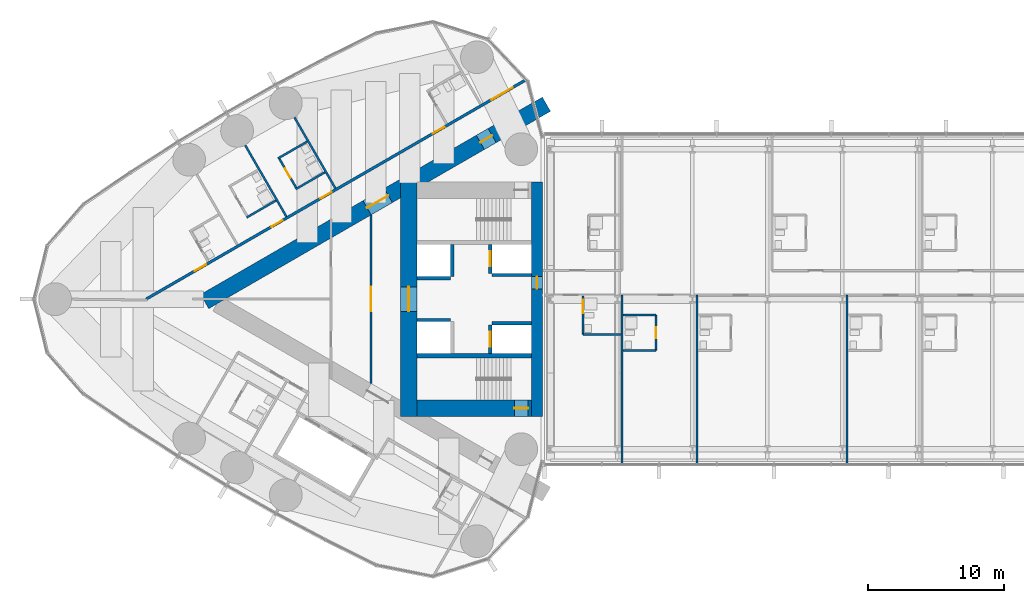
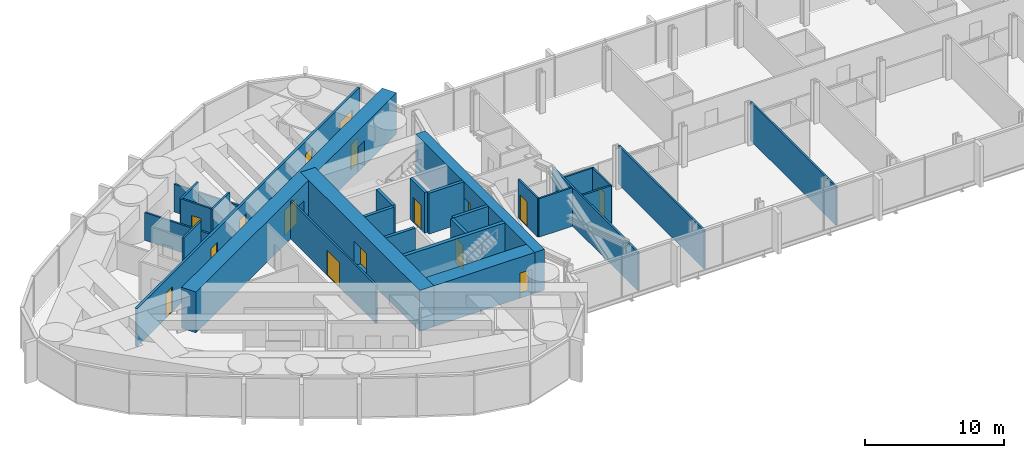
# One storey, part 16 of 23: 28 walls, 16 doors, 16 openings.
"""IFC4 building model written with IfcOpenShell, lengths in metres."""

from ifc_helpers import new_model, si_unit, direction, frame, frame_2d, origin, place, context, subcontext, project, spatial, rectangle, extrude, material, layer, layer_set, type_object, element, fill, save


model = new_model("IFC4")

# Units and contexts
model_context = context("Model", 3, precision=1e-05, world=origin(), true_north=direction((0.0, 1.0)))
body_context = subcontext(model_context, "Body", "Model", "MODEL_VIEW")
ifc_project = project(units=[si_unit("LENGTHUNIT", "METRE"), si_unit("AREAUNIT", "SQUARE_METRE"), si_unit("VOLUMEUNIT", "CUBIC_METRE"), si_unit("PLANEANGLEUNIT", "RADIAN"), si_unit("MASSUNIT", "GRAM", prefix="KILO")], contexts=[model_context])

# Site, building, storey
site_placement = place(None, origin())
site = spatial("IfcSite", under=ifc_project, at=site_placement, CompositionType="ELEMENT")
building_placement = place(site_placement, origin())
building = spatial("IfcBuilding", under=site, at=building_placement, Name="Lancet Gate Hotel", CompositionType="ELEMENT")
storey_placement = place(building_placement, frame((0.0, 0.0, 240.5)))
storey = spatial("IfcBuildingStorey", under=building, at=storey_placement, Name="L64", CompositionType="ELEMENT", Elevation=240.5)

# Wall
ifc_material_1 = material(Name="Moisture resistant board partition")
ifc_layer_1 = layer(ifc_material_1, 0.14990234375)
ifc_layer_set_1 = layer_set([ifc_layer_1], Name="Bathroom wall 150")
wall_type_1 = type_object("IfcWallType", Name="Bathroom wall 150", PredefinedType="PARTITIONING", material=ifc_layer_set_1)
wall_1_placement = place(storey_placement, frame((-44.745361328125, 11.560302734375, 0.0), z_axis=(0.0, 0.0, 1.0), x_axis=(-0.866006523861, -0.500032699561, 0.0)))
element("IfcWall", 1, at=wall_1_placement, inside=storey, type_object=wall_type_1, Name="T1 bathroom wall 150 L64", PredefinedType="PARTITIONING", context=body_context, shape_type="SweptSolid", body=[
    extrude(rectangle(XDim=2.474853515625, YDim=0.14990234375, at=frame_2d((1.2373046875, 0.0))), origin(), (0.0, 0.0, 1.0), 3.35009765625),
])

# Wall, opening, door
wall_2_placement = place(storey_placement, frame((-45.52392578125, 8.108642578125, 0.0), z_axis=(0.0, 0.0, 1.0), x_axis=(-0.49997716683, 0.86603858612, 0.0)))
wall_2 = element("IfcWall", 2, at=wall_2_placement, inside=storey, type_object=wall_type_1, Name="T1 bathroom wall 150 L64", PredefinedType="PARTITIONING", context=body_context, shape_type="SweptSolid", body=[
    extrude(rectangle(XDim=2.599609375, YDim=0.14990234375, at=frame_2d((1.2998046875, 0.0))), origin(), (0.0, 0.0, 1.0), 3.35009765625),
])
opening_1_placement = place(wall_2_placement, frame((0.89990234375, 0.0, 0.0)))
opening_1 = element("IfcOpeningElement", 3, at=opening_1_placement, cuts=wall_2, Name="Opening 6403-B", PredefinedType="OPENING", context=body_context, shape_type="SweptSolid", body=[
    extrude(rectangle(XDim=0.800048828125, YDim=2.199951171875, at=frame_2d((0.39990234375, 1.10009765625))), frame((0.0, 0.0849609375, 0.0), z_axis=(0.0, -1.0, 0.0), x_axis=(1.0, 0.0, 0.0)), (0.0, 0.0, 1.0), 0.169921875),
])
ifc_material_2 = material(Name="Timber door set", Category="wood")
door_type_1 = type_object("IfcDoorType", Name="Bathroom door 800", OperationType="SINGLE_SWING_RIGHT", PredefinedType="DOOR", material=ifc_material_2)
door_1_placement = place(opening_1_placement, origin())
door_1 = element("IfcDoor", 4, at=door_1_placement, inside=storey, type_object=door_type_1, Name="6403-B", OperationType="SINGLE_SWING_RIGHT", OverallHeight=2.199951171875, OverallWidth=0.800048828125, PredefinedType="DOOR", context=body_context, shape_type="SweptSolid", body=[
    extrude(rectangle(XDim=0.800048828125, YDim=2.199951171875, at=frame_2d((0.39990234375, 1.10009765625))), frame((0.0, 0.02490234375, 0.0), z_axis=(0.0, -1.0, 0.0), x_axis=(1.0, 0.0, 0.0)), (0.0, 0.0, 1.0), 0.050048828125),
])
fill(opening_1, door_1)

# Walls
for number, where, z_axis, x_axis, name in (
    (5, (-43.4453125, 9.30859375, 0.0), (0.0, 0.0, 1.0), (-0.866031185235, -0.4999899861, 0.0), "T1 bathroom wall 150 L64"),
    (6, (-47.03857421875, 7.23388671875, 0.0), (0.0, 0.0, 1.0), (-0.866073894602, -0.499916002032, 0.0), "T1 bathroom wall 150 L64"),
):
    element("IfcWall", number, at=place(storey_placement, frame(where, z_axis=z_axis, x_axis=x_axis)), inside=storey, type_object=wall_type_1, Name=name, PredefinedType="PARTITIONING", context=body_context, shape_type="SweptSolid", body=[
        extrude(rectangle(XDim=2.47509765625, YDim=0.14990234375, at=frame_2d((1.237548828125, 0.0))), origin(), (0.0, 0.0, 1.0), 3.35009765625),
    ])
wall_3_placement = place(storey_placement, frame((-24.52490234375, -2.574951171875, 0.0), z_axis=(0.0, 0.0, 1.0), x_axis=(1.0, 0.0, 0.0)))
element("IfcWall", 7, at=wall_3_placement, inside=storey, type_object=wall_type_1, Name="Bridge block bathroom wall 150 L64", PredefinedType="PARTITIONING", context=body_context, shape_type="SweptSolid", body=[
    extrude(rectangle(XDim=2.7998046875, YDim=0.14990234375, at=frame_2d((1.39990234375, 0.0))), origin(), (0.0, 0.0, 1.0), 3.39990234375),
])

# Wall, opening, door
wall_4_placement = place(storey_placement, frame((-24.52490234375, -2.574951171875, 0.0), z_axis=(0.0, 0.0, 1.0), x_axis=(0.0, 1.0, 0.0)))
wall_4 = element("IfcWall", 8, at=wall_4_placement, inside=storey, type_object=wall_type_1, Name="Bridge block bathroom wall 150 L64", PredefinedType="PARTITIONING", context=body_context, shape_type="SweptSolid", body=[
    extrude(rectangle(XDim=2.800048828125, YDim=0.14990234375, at=frame_2d((1.39990234375, 0.0))), origin(), (0.0, 0.0, 1.0), 3.39990234375),
])
opening_2_placement = place(wall_4_placement, frame((1.550048828125, 0.0, 0.0)))
opening_2 = element("IfcOpeningElement", 9, at=opening_2_placement, cuts=wall_4, Name="Opening B6401-B", PredefinedType="OPENING", context=body_context, shape_type="SweptSolid", body=[
    extrude(rectangle(XDim=1.0, YDim=2.199951171875, at=frame_2d((0.5, 1.10009765625))), frame((0.0, 0.0849609375, 0.0), z_axis=(0.0, -1.0, 0.0), x_axis=(1.0, 0.0, 0.0)), (0.0, 0.0, 1.0), 0.169921875),
])
ifc_material_3 = material(Name="Timber door set", Category="wood")
door_type_2 = type_object("IfcDoorType", Name="Accessible en-suite door 1000", OperationType="SINGLE_SWING_RIGHT", PredefinedType="DOOR", material=ifc_material_3)
door_2_placement = place(opening_2_placement, origin())
door_2 = element("IfcDoor", 10, at=door_2_placement, inside=storey, type_object=door_type_2, Name="B6401-B", OperationType="SINGLE_SWING_RIGHT", OverallHeight=2.199951171875, OverallWidth=1.0, PredefinedType="DOOR", context=body_context, shape_type="SweptSolid", body=[
    extrude(rectangle(XDim=1.0, YDim=2.199951171875, at=frame_2d((0.5, 1.10009765625))), frame((0.0, 0.02490234375, 0.0), z_axis=(0.0, -1.0, 0.0), x_axis=(1.0, 0.0, 0.0)), (0.0, 0.0, 1.0), 0.050048828125),
])
fill(opening_2, door_2)

# Walls
for number, where, z_axis, x_axis, name in (
    (11, (-21.574951171875, -3.77490234375, 0.0), (0.0, 0.0, 1.0), (1.0, 0.0, 0.0), "Bridge block bathroom wall 150 L64"),
    (12, (-21.574951171875, -1.175048828125, 0.0), (0.0, 0.0, 1.0), (1.0, 0.0, 0.0), "Bridge block bathroom wall 150 L64"),
):
    element("IfcWall", number, at=place(storey_placement, frame(where, z_axis=z_axis, x_axis=x_axis)), inside=storey, type_object=wall_type_1, Name=name, PredefinedType="PARTITIONING", context=body_context, shape_type="SweptSolid", body=[
        extrude(rectangle(XDim=2.39990234375, YDim=0.14990234375, at=frame_2d((1.199951171875, 0.0))), origin(), (0.0, 0.0, 1.0), 3.39990234375),
    ])

# Wall, opening, door
wall_5_placement = place(storey_placement, frame((-19.175048828125, -3.77490234375, 0.0), z_axis=(0.0, 0.0, 1.0), x_axis=(0.0, 1.0, 0.0)))
wall_5 = element("IfcWall", 13, at=wall_5_placement, inside=storey, type_object=wall_type_1, Name="Bridge block bathroom wall 150 L64", PredefinedType="PARTITIONING", context=body_context, shape_type="SweptSolid", body=[
    extrude(rectangle(XDim=2.599853515625, YDim=0.14990234375, at=frame_2d((1.2998046875, 0.0))), origin(), (0.0, 0.0, 1.0), 3.39990234375),
])
opening_3_placement = place(wall_5_placement, frame((0.89990234375, 0.0, 0.0)))
opening_3 = element("IfcOpeningElement", 14, at=opening_3_placement, cuts=wall_5, Name="Opening B6402-B", PredefinedType="OPENING", context=body_context, shape_type="SweptSolid", body=[
    extrude(rectangle(XDim=0.800048828125, YDim=2.199951171875, at=frame_2d((0.39990234375, 1.10009765625))), frame((0.0, 0.0849609375, 0.0), z_axis=(0.0, -1.0, 0.0), x_axis=(1.0, 0.0, 0.0)), (0.0, 0.0, 1.0), 0.169921875),
])
door_3_placement = place(opening_3_placement, origin())
door_3 = element("IfcDoor", 15, at=door_3_placement, inside=storey, type_object=door_type_1, Name="B6402-B", OperationType="SINGLE_SWING_RIGHT", OverallHeight=2.199951171875, OverallWidth=0.800048828125, PredefinedType="DOOR", context=body_context, shape_type="SweptSolid", body=[
    extrude(rectangle(XDim=0.800048828125, YDim=2.199951171875, at=frame_2d((0.39990234375, 1.10009765625))), frame((0.0, 0.02490234375, 0.0), z_axis=(0.0, -1.0, 0.0), x_axis=(1.0, 0.0, 0.0)), (0.0, 0.0, 1.0), 0.050048828125),
])
fill(opening_3, door_3)

# Wall, openings, doors
ifc_material_4 = material(Name="Concrete C70/85", Category="concrete")
ifc_layer_2 = layer(ifc_material_4, 1.199951171875)
ifc_layer_set_2 = layer_set([ifc_layer_2], Name="Buttress wall 1200")
wall_type_2 = type_object("IfcWallType", Name="Buttress wall 1200", PredefinedType="SHEAR", material=ifc_layer_set_2)
wall_6_placement = place(storey_placement, frame((-27.199951171875, 14.300048828125, 0.0), z_axis=(0.0, 0.0, 1.0), x_axis=(-0.866026593062, -0.499997940104, 0.0)))
wall_6 = element("IfcWall", 16, at=wall_6_placement, inside=storey, type_object=wall_type_2, Name="T1 buttress wall S L64", PredefinedType="SHEAR", context=body_context, shape_type="SweptSolid", body=[
    extrude(rectangle(XDim=28.9462890625, YDim=1.199951171875, at=frame_2d((14.47314453125, 0.0))), origin(), (0.0, 0.0, 1.0), 3.60009765625),
])
opening_4_placement = place(wall_6_placement, frame((4.60009765625, 0.0, 0.0)))
opening_4 = element("IfcOpeningElement", 17, at=opening_4_placement, cuts=wall_6, Name="Opening T1-L64-LS", PredefinedType="OPENING", context=body_context, shape_type="SweptSolid", body=[
    extrude(rectangle(XDim=1.0, YDim=2.199951171875, at=frame_2d((0.5, 1.10009765625))), frame((0.0, 0.60986328125, 0.0), z_axis=(0.0, -1.0, 0.0), x_axis=(1.0, 0.0, 0.0)), (0.0, 0.0, 1.0), 1.219970703125),
])
opening_5_placement = place(wall_6_placement, frame((13.39453125, 0.0, 0.0)))
opening_5 = element("IfcOpeningElement", 18, at=opening_5_placement, cuts=wall_6, Name="Opening T1-L64-LHS", PredefinedType="OPENING", context=body_context, shape_type="SweptSolid", body=[
    extrude(rectangle(XDim=1.800048828125, YDim=2.199951171875, at=frame_2d((0.89990234375, 1.10009765625))), frame((0.0, 0.60986328125, 0.0), z_axis=(0.0, -1.0, 0.0), x_axis=(1.0, 0.0, 0.0)), (0.0, 0.0, 1.0), 1.219970703125),
])
ifc_material_5 = material(Name="Timber door set", Category="wood")
door_type_3 = type_object("IfcDoorType", Name="Lobby double door 1800", OperationType="DOUBLE_DOOR_SINGLE_SWING", PredefinedType="DOOR", material=ifc_material_5)
door_4_placement = place(opening_5_placement, origin())
door_4 = element("IfcDoor", 19, at=door_4_placement, inside=storey, type_object=door_type_3, Name="T1-L64-LHS", OperationType="DOUBLE_DOOR_SINGLE_SWING", OverallHeight=2.199951171875, OverallWidth=1.800048828125, PredefinedType="DOOR", context=body_context, shape_type="SweptSolid", body=[
    extrude(rectangle(XDim=1.800048828125, YDim=2.199951171875, at=frame_2d((0.89990234375, 1.10009765625))), frame((0.0, 0.02490234375, 0.0), z_axis=(0.0, -1.0, 0.0), x_axis=(1.0, 0.0, 0.0)), (0.0, 0.0, 1.0), 0.050048828125),
])
fill(opening_5, door_4)
ifc_material_6 = material(Name="Timber door set", Category="wood")
door_type_4 = type_object("IfcDoorType", Name="Stair lobby door 1000", OperationType="SINGLE_SWING_LEFT", PredefinedType="DOOR", material=ifc_material_6)
door_5_placement = place(opening_4_placement, origin())
door_5 = element("IfcDoor", 20, at=door_5_placement, inside=storey, type_object=door_type_4, Name="T1-L64-LS", OperationType="SINGLE_SWING_LEFT", OverallHeight=2.199951171875, OverallWidth=1.0, PredefinedType="DOOR", context=body_context, shape_type="SweptSolid", body=[
    extrude(rectangle(XDim=1.0, YDim=2.199951171875, at=frame_2d((0.5, 1.10009765625))), frame((0.0, 0.02490234375, 0.0), z_axis=(0.0, -1.0, 0.0), x_axis=(1.0, 0.0, 0.0)), (0.0, 0.0, 1.0), 0.050048828125),
])
fill(opening_4, door_5)

# Wall, opening, door
ifc_material_7 = material(Name="Concrete C70/85", Category="concrete")
ifc_layer_3 = layer(ifc_material_7, 1.199951171875)
ifc_layer_set_3 = layer_set([ifc_layer_3], Name="Core wall 1200")
wall_type_3 = type_object("IfcWallType", Name="Core wall 1200", PredefinedType="SHEAR", material=ifc_layer_set_3)
wall_7_placement = place(storey_placement, frame((-37.300048828125, 8.60009765625, 0.0), z_axis=(0.0, 0.0, 1.0), x_axis=(0.0, -1.0, 0.0)))
wall_7 = element("IfcWall", 21, at=wall_7_placement, inside=storey, type_object=wall_type_3, Name="T1 core wall back L64", PredefinedType="SHEAR", context=body_context, shape_type="SweptSolid", body=[
    extrude(rectangle(XDim=17.2001953125, YDim=1.199951171875, at=frame_2d((8.60009765625, 0.0))), origin(), (0.0, 0.0, 1.0), 3.60009765625),
])
opening_6_placement = place(wall_7_placement, frame((7.699951171875, 0.0, 0.0)))
opening_6 = element("IfcOpeningElement", 22, at=opening_6_placement, cuts=wall_7, Name="Opening T1-L64-LL", PredefinedType="OPENING", context=body_context, shape_type="SweptSolid", body=[
    extrude(rectangle(XDim=1.800048828125, YDim=2.199951171875, at=frame_2d((0.89990234375, 1.10009765625))), frame((0.0, 0.60986328125, 0.0), z_axis=(0.0, -1.0, 0.0), x_axis=(1.0, 0.0, 0.0)), (0.0, 0.0, 1.0), 1.219970703125),
])
door_6_placement = place(opening_6_placement, origin())
door_6 = element("IfcDoor", 23, at=door_6_placement, inside=storey, type_object=door_type_3, Name="T1-L64-LL", OperationType="DOUBLE_DOOR_SINGLE_SWING", OverallHeight=2.199951171875, OverallWidth=1.800048828125, PredefinedType="DOOR", context=body_context, shape_type="SweptSolid", body=[
    extrude(rectangle(XDim=1.800048828125, YDim=2.199951171875, at=frame_2d((0.89990234375, 1.10009765625))), frame((0.0, 0.02490234375, 0.0), z_axis=(0.0, -1.0, 0.0), x_axis=(1.0, 0.0, 0.0)), (0.0, 0.0, 1.0), 0.050048828125),
])
fill(opening_6, door_6)

wall_8_placement = place(storey_placement, frame((-28.300048828125, -8.0, 0.0), z_axis=(0.0, 0.0, 1.0), x_axis=(-1.0, 0.0, 0.0)))
wall_8 = element("IfcWall", 24, at=wall_8_placement, inside=storey, type_object=wall_type_3, Name="T1 core wall side-N L64", PredefinedType="SHEAR", context=body_context, shape_type="SweptSolid", body=[
    extrude(rectangle(XDim=8.39990234375, YDim=1.199951171875, at=frame_2d((4.199951171875, 0.0))), origin(), (0.0, 0.0, 1.0), 3.60009765625),
])
opening_7_placement = place(wall_8_placement, frame((0.25, 0.0, 0.0)))
opening_7 = element("IfcOpeningElement", 25, at=opening_7_placement, cuts=wall_8, Name="Opening T1-L64-ST2", PredefinedType="OPENING", context=body_context, shape_type="SweptSolid", body=[
    extrude(rectangle(XDim=1.0, YDim=2.199951171875, at=frame_2d((0.5, 1.10009765625))), frame((0.0, 0.60986328125, 0.0), z_axis=(0.0, -1.0, 0.0), x_axis=(1.0, 0.0, 0.0)), (0.0, 0.0, 1.0), 1.219970703125),
])
ifc_material_8 = material(Name="Timber door set", Category="wood")
door_type_5 = type_object("IfcDoorType", Name="Stair door 1000", OperationType="SINGLE_SWING_RIGHT", PredefinedType="DOOR", material=ifc_material_8)
door_7_placement = place(opening_7_placement, origin())
door_7 = element("IfcDoor", 26, at=door_7_placement, inside=storey, type_object=door_type_5, Name="T1-L64-ST2", OperationType="SINGLE_SWING_RIGHT", OverallHeight=2.199951171875, OverallWidth=1.0, PredefinedType="DOOR", context=body_context, shape_type="SweptSolid", body=[
    extrude(rectangle(XDim=1.0, YDim=2.199951171875, at=frame_2d((0.5, 1.10009765625))), frame((0.0, 0.02490234375, 0.0), z_axis=(0.0, -1.0, 0.0), x_axis=(1.0, 0.0, 0.0)), (0.0, 0.0, 1.0), 0.050048828125),
])
fill(opening_7, door_7)

ifc_material_9 = material(Name="Concrete C70/85", Category="concrete")
ifc_layer_4 = layer(ifc_material_9, 0.800048828125)
ifc_layer_set_4 = layer_set([ifc_layer_4], Name="Core wall 800")
wall_type_4 = type_object("IfcWallType", Name="Core wall 800", PredefinedType="SHEAR", material=ifc_layer_set_4)
wall_9_placement = place(storey_placement, frame((-27.89990234375, 8.60009765625, 0.0), z_axis=(0.0, 0.0, 1.0), x_axis=(0.0, -1.0, 0.0)))
wall_9 = element("IfcWall", 27, at=wall_9_placement, inside=storey, type_object=wall_type_4, Name="T1 core wall front L64", PredefinedType="SHEAR", context=body_context, shape_type="SweptSolid", body=[
    extrude(rectangle(XDim=17.2001953125, YDim=0.800048828125, at=frame_2d((8.60009765625, 0.0))), origin(), (0.0, 0.0, 1.0), 3.60009765625),
])
opening_8_placement = place(wall_9_placement, frame((6.949951171875, 0.0, 0.0)))
opening_8 = element("IfcOpeningElement", 28, at=opening_8_placement, cuts=wall_9, Name="Opening T1-L64-BR", PredefinedType="OPENING", context=body_context, shape_type="SweptSolid", body=[
    extrude(rectangle(XDim=0.89990234375, YDim=2.199951171875, at=frame_2d((0.449951171875, 1.10009765625))), frame((0.0, 0.409912109375, 0.0), z_axis=(0.0, -1.0, 0.0), x_axis=(1.0, 0.0, 0.0)), (0.0, 0.0, 1.0), 0.820068359375),
])
ifc_material_10 = material(Name="Steel door set", Category="steel")
door_type_6 = type_object("IfcDoorType", Name="Bridge fire door 900", OperationType="SINGLE_SWING_LEFT", PredefinedType="DOOR", material=ifc_material_10)
door_8_placement = place(opening_8_placement, origin())
door_8 = element("IfcDoor", 29, at=door_8_placement, inside=storey, type_object=door_type_6, Name="T1-L64-BR", OperationType="SINGLE_SWING_LEFT", OverallHeight=2.199951171875, OverallWidth=0.89990234375, PredefinedType="DOOR", context=body_context, shape_type="SweptSolid", body=[
    extrude(rectangle(XDim=0.89990234375, YDim=2.199951171875, at=frame_2d((0.449951171875, 1.10009765625))), frame((0.0, 0.02490234375, 0.0), z_axis=(0.0, -1.0, 0.0), x_axis=(1.0, 0.0, 0.0)), (0.0, 0.0, 1.0), 0.050048828125),
])
fill(opening_8, door_8)

# Wall, openings, doors
ifc_material_11 = material(Name="Gypsum board partition")
ifc_layer_5 = layer(ifc_material_11, 0.199951171875)
ifc_layer_set_5 = layer_set([ifc_layer_5], Name="Corridor wall 200")
wall_type_5 = type_object("IfcWallType", Name="Corridor wall 200", PredefinedType="PARTITIONING", material=ifc_layer_set_5)
wall_10_placement = place(storey_placement, frame((-28.737060546875, 16.068359375, 0.0), z_axis=(0.0, 0.0, 1.0), x_axis=(-0.866026057212, -0.499998868229, 0.0)))
wall_10 = element("IfcWall", 30, at=wall_10_placement, inside=storey, type_object=wall_type_5, Name="T1 corridor wall 200 L64", PredefinedType="PARTITIONING", context=body_context, shape_type="SweptSolid", body=[
    extrude(rectangle(XDim=32.13671875, YDim=0.199951171875, at=frame_2d((16.068359375, 0.0))), origin(), (0.0, 0.0, 1.0), 3.35009765625),
])
opening_9_placement = place(wall_10_placement, frame((1.080078125, 0.0, 0.0)))
opening_9 = element("IfcOpeningElement", 31, at=opening_9_placement, cuts=wall_10, Name="Opening 6401-E", PredefinedType="OPENING", context=body_context, shape_type="SweptSolid", body=[
    extrude(rectangle(XDim=1.800048828125, YDim=2.030029296875, at=frame_2d((0.89990234375, 1.01513671875))), frame((0.0, 0.10986328125, 0.0), z_axis=(0.0, -1.0, 0.0), x_axis=(1.0, 0.0, 0.0)), (0.0, 0.0, 1.0), 0.219970703125),
])
opening_10_placement = place(wall_10_placement, frame((6.860107421875, 0.0, 0.0)))
opening_10 = element("IfcOpeningElement", 32, at=opening_10_placement, cuts=wall_10, Name="Opening 6402-E", PredefinedType="OPENING", context=body_context, shape_type="SweptSolid", body=[
    extrude(rectangle(XDim=1.0, YDim=2.199951171875, at=frame_2d((0.5, 1.10009765625))), frame((0.0, 0.10986328125, 0.0), z_axis=(0.0, -1.0, 0.0), x_axis=(1.0, 0.0, 0.0)), (0.0, 0.0, 1.0), 0.219970703125),
])
opening_11_placement = place(wall_10_placement, frame((16.417724609375, 0.0, 0.0)))
opening_11 = element("IfcOpeningElement", 33, at=opening_11_placement, cuts=wall_10, Name="Opening 6403-E", PredefinedType="OPENING", context=body_context, shape_type="SweptSolid", body=[
    extrude(rectangle(XDim=0.949951171875, YDim=2.199951171875, at=frame_2d((0.47509765625, 1.10009765625))), frame((0.0, 0.10986328125, 0.0), z_axis=(0.0, -1.0, 0.0), x_axis=(1.0, 0.0, 0.0)), (0.0, 0.0, 1.0), 0.219970703125),
])
opening_12_placement = place(wall_10_placement, frame((20.56689453125, 0.0, 0.0)))
opening_12 = element("IfcOpeningElement", 34, at=opening_12_placement, cuts=wall_10, Name="Opening 6404-E", PredefinedType="OPENING", context=body_context, shape_type="SweptSolid", body=[
    extrude(rectangle(XDim=0.949951171875, YDim=2.199951171875, at=frame_2d((0.47509765625, 1.10009765625))), frame((0.0, 0.10986328125, 0.0), z_axis=(0.0, -1.0, 0.0), x_axis=(1.0, 0.0, 0.0)), (0.0, 0.0, 1.0), 0.219970703125),
])
opening_13_placement = place(wall_10_placement, frame((27.0654296875, 0.0, 0.0)))
opening_13 = element("IfcOpeningElement", 35, at=opening_13_placement, cuts=wall_10, Name="Opening 6405-E", PredefinedType="OPENING", context=body_context, shape_type="SweptSolid", body=[
    extrude(rectangle(XDim=0.949951171875, YDim=2.199951171875, at=frame_2d((0.47509765625, 1.10009765625))), frame((0.0, 0.10986328125, 0.0), z_axis=(0.0, -1.0, 0.0), x_axis=(1.0, 0.0, 0.0)), (0.0, 0.0, 1.0), 0.219970703125),
])
ifc_material_12 = material(Name="Timber door set", Category="wood")
door_type_7 = type_object("IfcDoorType", Name="Accessible guest room door 1000", OperationType="SINGLE_SWING_LEFT", PredefinedType="DOOR", material=ifc_material_12)
door_9_placement = place(opening_10_placement, origin())
door_9 = element("IfcDoor", 36, at=door_9_placement, inside=storey, type_object=door_type_7, Name="6402-E", OperationType="SINGLE_SWING_LEFT", OverallHeight=2.199951171875, OverallWidth=1.0, PredefinedType="DOOR", context=body_context, shape_type="SweptSolid", body=[
    extrude(rectangle(XDim=1.0, YDim=2.199951171875, at=frame_2d((0.5, 1.10009765625))), frame((0.0, 0.02490234375, 0.0), z_axis=(0.0, -1.0, 0.0), x_axis=(1.0, 0.0, 0.0)), (0.0, 0.0, 1.0), 0.050048828125),
])
fill(opening_10, door_9)
ifc_material_13 = material(Name="Timber door set", Category="wood")
door_type_8 = type_object("IfcDoorType", Name="Double door 1800, 2030 high", OperationType="DOUBLE_DOOR_SINGLE_SWING", PredefinedType="DOOR", material=ifc_material_13)
door_10_placement = place(opening_9_placement, origin())
door_10 = element("IfcDoor", 37, at=door_10_placement, inside=storey, type_object=door_type_8, Name="6401-E", OperationType="DOUBLE_DOOR_SINGLE_SWING", OverallHeight=2.030029296875, OverallWidth=1.800048828125, PredefinedType="DOOR", context=body_context, shape_type="SweptSolid", body=[
    extrude(rectangle(XDim=1.800048828125, YDim=2.030029296875, at=frame_2d((0.89990234375, 1.01513671875))), frame((0.0, 0.02490234375, 0.0), z_axis=(0.0, -1.0, 0.0), x_axis=(1.0, 0.0, 0.0)), (0.0, 0.0, 1.0), 0.050048828125),
])
fill(opening_9, door_10)
ifc_material_14 = material(Name="Timber door set", Category="wood")
door_type_9 = type_object("IfcDoorType", Name="Guest room entry door 950", OperationType="SINGLE_SWING_LEFT", PredefinedType="DOOR", material=ifc_material_14)
door_11_placement = place(opening_11_placement, origin())
door_11 = element("IfcDoor", 38, at=door_11_placement, inside=storey, type_object=door_type_9, Name="6403-E", OperationType="SINGLE_SWING_LEFT", OverallHeight=2.199951171875, OverallWidth=0.949951171875, PredefinedType="DOOR", context=body_context, shape_type="SweptSolid", body=[
    extrude(rectangle(XDim=0.949951171875, YDim=2.199951171875, at=frame_2d((0.47509765625, 1.10009765625))), frame((0.0, 0.02490234375, 0.0), z_axis=(0.0, -1.0, 0.0), x_axis=(1.0, 0.0, 0.0)), (0.0, 0.0, 1.0), 0.050048828125),
])
fill(opening_11, door_11)
door_12_placement = place(opening_12_placement, origin())
door_12 = element("IfcDoor", 39, at=door_12_placement, inside=storey, type_object=door_type_9, Name="6404-E", OperationType="SINGLE_SWING_LEFT", OverallHeight=2.199951171875, OverallWidth=0.949951171875, PredefinedType="DOOR", context=body_context, shape_type="SweptSolid", body=[
    extrude(rectangle(XDim=0.949951171875, YDim=2.199951171875, at=frame_2d((0.47509765625, 1.10009765625))), frame((0.0, 0.02490234375, 0.0), z_axis=(0.0, -1.0, 0.0), x_axis=(1.0, 0.0, 0.0)), (0.0, 0.0, 1.0), 0.050048828125),
])
fill(opening_12, door_12)
door_13_placement = place(opening_13_placement, origin())
door_13 = element("IfcDoor", 40, at=door_13_placement, inside=storey, type_object=door_type_9, Name="6405-E", OperationType="SINGLE_SWING_LEFT", OverallHeight=2.199951171875, OverallWidth=0.949951171875, PredefinedType="DOOR", context=body_context, shape_type="SweptSolid", body=[
    extrude(rectangle(XDim=0.949951171875, YDim=2.199951171875, at=frame_2d((0.47509765625, 1.10009765625))), frame((0.0, 0.02490234375, 0.0), z_axis=(0.0, -1.0, 0.0), x_axis=(1.0, 0.0, 0.0)), (0.0, 0.0, 1.0), 0.050048828125),
])
fill(opening_13, door_13)

# Wall, opening, door
ifc_material_15 = material(Name="Concrete C50/60", Category="concrete")
ifc_layer_6 = layer(ifc_material_15, 0.25)
ifc_layer_set_6 = layer_set([ifc_layer_6], Name="Lift shaft wall 250")
wall_type_6 = type_object("IfcWallType", Name="Lift shaft wall 250", PredefinedType="SHEAR", material=ifc_layer_set_6)
wall_11_placement = place(storey_placement, frame((-31.324951171875, 4.0, 0.0), z_axis=(0.0, 0.0, 1.0), x_axis=(0.0, -1.0, 0.0)))
wall_11 = element("IfcWall", 41, at=wall_11_placement, inside=storey, type_object=wall_type_6, Name="T1 core wall row1-S L64", PredefinedType="SHEAR", context=body_context, shape_type="SweptSolid", body=[
    extrude(rectangle(XDim=2.10009765625, YDim=0.25, at=frame_2d((1.050048828125, 0.0))), origin(), (0.0, 0.0, 1.0), 3.60009765625),
])
opening_14_placement = place(wall_11_placement, frame((0.5, 0.0, 0.0)))
opening_14 = element("IfcOpeningElement", 42, at=opening_14_placement, cuts=wall_11, Name="Opening T1-SL1-L64", PredefinedType="OPENING", context=body_context, shape_type="SweptSolid", body=[
    extrude(rectangle(XDim=1.10009765625, YDim=2.199951171875, at=frame_2d((0.550048828125, 1.10009765625))), frame((0.0, 0.135009765625, 0.0), z_axis=(0.0, -1.0, 0.0), x_axis=(1.0, 0.0, 0.0)), (0.0, 0.0, 1.0), 0.27001953125),
])
ifc_material_16 = material(Name="Timber door set", Category="wood")
door_type_10 = type_object("IfcDoorType", Name="Service lift landing door 1100", OperationType="SLIDING_TO_LEFT", PredefinedType="USERDEFINED", material=ifc_material_16)
door_14_placement = place(opening_14_placement, origin())
door_14 = element("IfcDoor", 43, at=door_14_placement, inside=storey, type_object=door_type_10, Name="T1-SL1-L64", ObjectType="LIFT LANDING DOOR", OperationType="SLIDING_TO_LEFT", OverallHeight=2.199951171875, OverallWidth=1.10009765625, PredefinedType="USERDEFINED", context=body_context, shape_type="SweptSolid", body=[
    extrude(rectangle(XDim=1.10009765625, YDim=2.199951171875, at=frame_2d((0.550048828125, 1.10009765625))), frame((0.0, 0.02490234375, 0.0), z_axis=(0.0, -1.0, 0.0), x_axis=(1.0, 0.0, 0.0)), (0.0, 0.0, 1.0), 0.050048828125),
])
fill(opening_14, door_14)

# Walls
wall_12_placement = place(storey_placement, frame((-34.125, 4.0, 0.0), z_axis=(0.0, 0.0, 1.0), x_axis=(0.0, -1.0, 0.0)))
element("IfcWall", 44, at=wall_12_placement, inside=storey, type_object=wall_type_6, Name="T1 core wall row2-S L64", PredefinedType="SHEAR", context=body_context, shape_type="SweptSolid", body=[
    extrude(rectangle(XDim=2.35009765625, YDim=0.25, at=frame_2d((1.175048828125, 0.0))), origin(), (0.0, 0.0, 1.0), 3.60009765625),
])
wall_13_placement = place(storey_placement, frame((-28.300048828125, 1.77490234375, 0.0), z_axis=(0.0, 0.0, 1.0), x_axis=(-1.0, 0.0, 0.0)))
element("IfcWall", 45, at=wall_13_placement, inside=storey, type_object=wall_type_6, Name="T1 core wall pass1-S L64", PredefinedType="SHEAR", context=body_context, shape_type="SweptSolid", body=[
    extrude(rectangle(XDim=2.89990234375, YDim=0.25, at=frame_2d((1.449951171875, 0.0))), origin(), (0.0, 0.0, 1.0), 3.60009765625),
])
wall_14_placement = place(storey_placement, frame((-34.25, 1.52490234375, 0.0), z_axis=(0.0, 0.0, 1.0), x_axis=(-1.0, 0.0, 0.0)))
element("IfcWall", 46, at=wall_14_placement, inside=storey, type_object=wall_type_6, Name="T1 core wall pass2-S L64", PredefinedType="SHEAR", context=body_context, shape_type="SweptSolid", body=[
    extrude(rectangle(XDim=2.449951171875, YDim=0.25, at=frame_2d((1.22509765625, 0.0))), origin(), (0.0, 0.0, 1.0), 3.60009765625),
])

# Wall, opening, door
wall_15_placement = place(storey_placement, frame((-31.324951171875, -1.89990234375, 0.0), z_axis=(0.0, 0.0, 1.0), x_axis=(0.0, -1.0, 0.0)))
wall_15 = element("IfcWall", 47, at=wall_15_placement, inside=storey, type_object=wall_type_6, Name="T1 core wall row1-N L64", PredefinedType="SHEAR", context=body_context, shape_type="SweptSolid", body=[
    extrude(rectangle(XDim=2.10009765625, YDim=0.25, at=frame_2d((1.050048828125, 0.0))), origin(), (0.0, 0.0, 1.0), 3.60009765625),
])
opening_15_placement = place(wall_15_placement, frame((0.5, 0.0, 0.0)))
opening_15 = element("IfcOpeningElement", 48, at=opening_15_placement, cuts=wall_15, Name="Opening T1-FL2-L64", PredefinedType="OPENING", context=body_context, shape_type="SweptSolid", body=[
    extrude(rectangle(XDim=1.10009765625, YDim=2.199951171875, at=frame_2d((0.550048828125, 1.10009765625))), frame((0.0, 0.135009765625, 0.0), z_axis=(0.0, -1.0, 0.0), x_axis=(1.0, 0.0, 0.0)), (0.0, 0.0, 1.0), 0.27001953125),
])
ifc_material_17 = material(Name="Steel door set", Category="steel")
door_type_11 = type_object("IfcDoorType", Name="Firefighting lift landing door 1100", OperationType="SLIDING_TO_LEFT", PredefinedType="USERDEFINED", material=ifc_material_17)
door_15_placement = place(opening_15_placement, origin())
door_15 = element("IfcDoor", 49, at=door_15_placement, inside=storey, type_object=door_type_11, Name="T1-FL2-L64", ObjectType="LIFT LANDING DOOR", OperationType="SLIDING_TO_LEFT", OverallHeight=2.199951171875, OverallWidth=1.10009765625, PredefinedType="USERDEFINED", context=body_context, shape_type="SweptSolid", body=[
    extrude(rectangle(XDim=1.10009765625, YDim=2.199951171875, at=frame_2d((0.550048828125, 1.10009765625))), frame((0.0, 0.02490234375, 0.0), z_axis=(0.0, -1.0, 0.0), x_axis=(1.0, 0.0, 0.0)), (0.0, 0.0, 1.0), 0.050048828125),
])
fill(opening_15, door_15)

# Walls
wall_16_placement = place(storey_placement, frame((-28.300048828125, -1.77490234375, 0.0), z_axis=(0.0, 0.0, 1.0), x_axis=(-1.0, 0.0, 0.0)))
element("IfcWall", 50, at=wall_16_placement, inside=storey, type_object=wall_type_6, Name="T1 core wall pass1-N L64", PredefinedType="SHEAR", context=body_context, shape_type="SweptSolid", body=[
    extrude(rectangle(XDim=2.89990234375, YDim=0.25, at=frame_2d((1.449951171875, 0.0))), origin(), (0.0, 0.0, 1.0), 3.60009765625),
])
wall_17_placement = place(storey_placement, frame((-34.25, -1.52490234375, 0.0), z_axis=(0.0, 0.0, 1.0), x_axis=(-1.0, 0.0, 0.0)))
element("IfcWall", 51, at=wall_17_placement, inside=storey, type_object=wall_type_6, Name="T1 core wall pass2-N L64", PredefinedType="SHEAR", context=body_context, shape_type="SweptSolid", body=[
    extrude(rectangle(XDim=2.449951171875, YDim=0.25, at=frame_2d((1.22509765625, 0.0))), origin(), (0.0, 0.0, 1.0), 3.60009765625),
])
ifc_material_18 = material(Name="Gypsum board partition")
ifc_layer_7 = layer(ifc_material_18, 0.14990234375)
ifc_layer_set_7 = layer_set([ifc_layer_7], Name="Party wall 150")
wall_type_7 = type_object("IfcWallType", Name="Party wall 150", PredefinedType="PARTITIONING", material=ifc_layer_set_7)
wall_18_placement = place(storey_placement, frame((-42.680419921875, 8.133544921875, 0.0), z_axis=(0.0, 0.0, 1.0), x_axis=(-0.499984479505, 0.866034364361, 0.0)))
element("IfcWall", 52, at=wall_18_placement, inside=storey, type_object=wall_type_7, Name="T1 party wall 150 L64", PredefinedType="PARTITIONING", context=body_context, shape_type="SweptSolid", body=[
    extrude(rectangle(XDim=5.995361328125, YDim=0.14990234375, at=frame_2d((2.99755859375, 0.0))), origin(), (0.0, 0.0, 1.0), 2.449951171875),
])
wall_19_placement = place(storey_placement, frame((-46.273681640625, 6.05908203125, 0.0), z_axis=(0.0, 0.0, 1.0), x_axis=(-0.500020471368, 0.866013584312, 0.0)))
element("IfcWall", 53, at=wall_19_placement, inside=storey, type_object=wall_type_7, Name="T1 party wall 150 L64", PredefinedType="PARTITIONING", context=body_context, shape_type="SweptSolid", body=[
    extrude(rectangle(XDim=6.027587890625, YDim=0.14990234375, at=frame_2d((3.013671875, 0.0))), origin(), (0.0, 0.0, 1.0), 2.449951171875),
])
for number, where, z_axis, x_axis, name in (
    (54, (-21.64990234375, -12.070068359375, 0.0), (0.0, 0.0, 1.0), (0.0, 1.0, 0.0), "Bridge block party wall 150 L64"),
    (55, (-16.14990234375, -12.070068359375, 0.0), (0.0, 0.0, 1.0), (0.0, 1.0, 0.0), "Bridge block party wall 150 L64"),
    (56, (-5.14990234375, -12.070068359375, 0.0), (0.0, 0.0, 1.0), (0.0, 1.0, 0.0), "Bridge block party wall 150 L64"),
):
    element("IfcWall", number, at=place(storey_placement, frame(where, z_axis=z_axis, x_axis=x_axis)), inside=storey, type_object=wall_type_7, Name=name, PredefinedType="PARTITIONING", context=body_context, shape_type="SweptSolid", body=[
        extrude(rectangle(XDim=12.3701171875, YDim=0.14990234375, at=frame_2d((6.18505859375, 0.0))), origin(), (0.0, 0.0, 1.0), 3.39990234375),
    ])

# Wall, opening, door
ifc_material_19 = material(Name="Gypsum board partition")
ifc_layer_8 = layer(ifc_material_19, 0.14990234375)
ifc_layer_set_8 = layer_set([ifc_layer_8], Name="Service room wall 150")
wall_type_8 = type_object("IfcWallType", Name="Service room wall 150", PredefinedType="PARTITIONING", material=ifc_layer_set_8)
wall_20_placement = place(storey_placement, frame((-40.074951171875, 6.173828125, 0.0), z_axis=(0.0, 0.0, 1.0), x_axis=(0.0, -1.0, 0.0)))
wall_20 = element("IfcWall", 57, at=wall_20_placement, inside=storey, type_object=wall_type_8, Name="T1 service room wall 150 L64", PredefinedType="PARTITIONING", context=body_context, shape_type="SweptSolid", body=[
    extrude(rectangle(XDim=12.34765625, YDim=0.14990234375, at=frame_2d((6.173828125, 0.0))), origin(), (0.0, 0.0, 1.0), 3.35009765625),
])
opening_16_placement = place(wall_20_placement, frame((5.273681640625, 0.0, 0.0)))
opening_16 = element("IfcOpeningElement", 58, at=opening_16_placement, cuts=wall_20, Name="Opening T1-L64-LH", PredefinedType="OPENING", context=body_context, shape_type="SweptSolid", body=[
    extrude(rectangle(XDim=1.800048828125, YDim=2.199951171875, at=frame_2d((0.89990234375, 1.10009765625))), frame((0.0, 0.0849609375, 0.0), z_axis=(0.0, -1.0, 0.0), x_axis=(1.0, 0.0, 0.0)), (0.0, 0.0, 1.0), 0.169921875),
])
door_16_placement = place(opening_16_placement, origin())
door_16 = element("IfcDoor", 59, at=door_16_placement, inside=storey, type_object=door_type_3, Name="T1-L64-LH", OperationType="DOUBLE_DOOR_SINGLE_SWING", OverallHeight=2.199951171875, OverallWidth=1.800048828125, PredefinedType="DOOR", context=body_context, shape_type="SweptSolid", body=[
    extrude(rectangle(XDim=1.800048828125, YDim=2.199951171875, at=frame_2d((0.89990234375, 1.10009765625))), frame((0.0, 0.02490234375, 0.0), z_axis=(0.0, -1.0, 0.0), x_axis=(1.0, 0.0, 0.0)), (0.0, 0.0, 1.0), 0.050048828125),
])
fill(opening_16, door_16)

# Wall
ifc_material_20 = material(Name="Concrete C50/60", Category="concrete")
ifc_layer_9 = layer(ifc_material_20, 0.300048828125)
ifc_layer_set_9 = layer_set([ifc_layer_9], Name="Stair enclosure wall 300")
wall_type_9 = type_object("IfcWallType", Name="Stair enclosure wall 300", PredefinedType="SHEAR", material=ifc_layer_set_9)
wall_21_placement = place(storey_placement, frame((-28.300048828125, -4.14990234375, 0.0), z_axis=(0.0, 0.0, 1.0), x_axis=(-1.0, 0.0, 0.0)))
element("IfcWall", 60, at=wall_21_placement, inside=storey, type_object=wall_type_9, Name="T1 core wall stair-N L64", PredefinedType="SHEAR", context=body_context, shape_type="SweptSolid", body=[
    extrude(rectangle(XDim=8.39990234375, YDim=0.300048828125, at=frame_2d((4.199951171875, 0.0))), origin(), (0.0, 0.0, 1.0), 3.60009765625),
])

save(model, "model.ifc")
